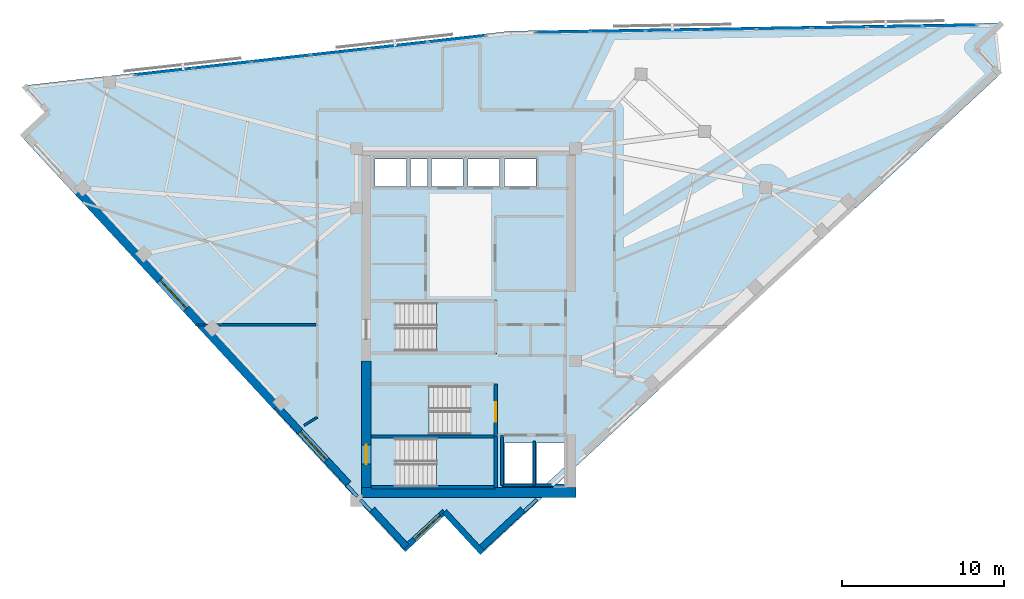
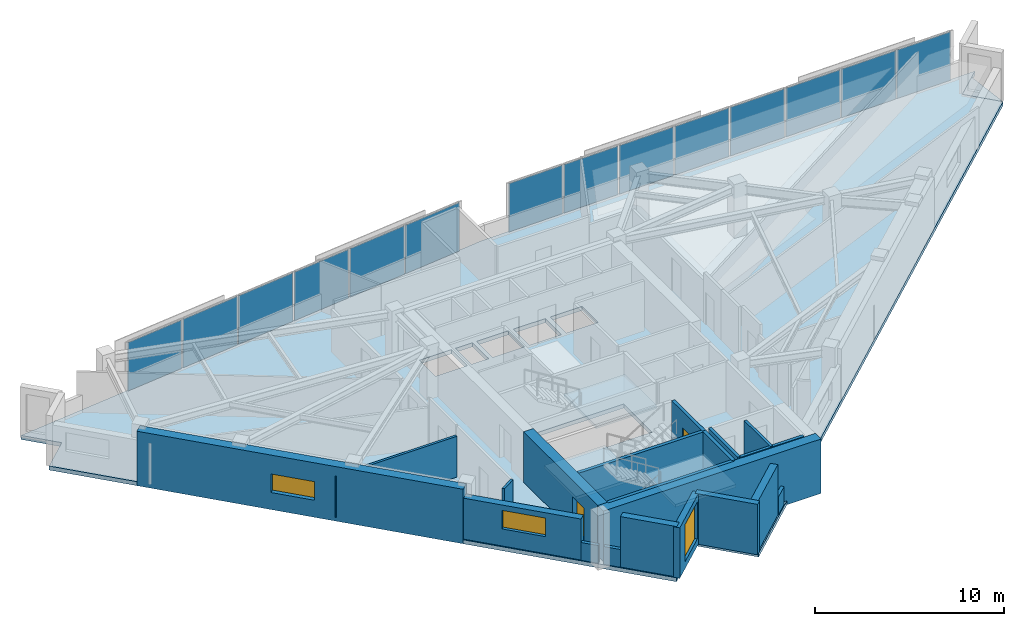
# One storey, part 7 of 13: 20 walls, 14 plates, 5 slabs, 3 windows, 2 doors, 5 openings, 5 elements without a shape of their own.
"""IFC4 building model written with IfcOpenShell, lengths in metres."""

from ifc_helpers import new_model, si_unit, direction, frame, frame_2d, origin, origin_2d, place, context, subcontext, project, spatial, polyline, rectangle, outline, extrude, material, layer, layer_set, type_object, element, fill, aggregate, save


model = new_model("IFC4")

# Units and contexts
model_context = context("Model", 3, precision=1e-05, world=origin(), true_north=direction((0.0, 1.0)))
body_context = subcontext(model_context, "Body", "Model", "MODEL_VIEW")
ifc_project = project(units=[si_unit("LENGTHUNIT", "METRE"), si_unit("AREAUNIT", "SQUARE_METRE"), si_unit("VOLUMEUNIT", "CUBIC_METRE"), si_unit("PLANEANGLEUNIT", "RADIAN"), si_unit("MASSUNIT", "GRAM", prefix="KILO")], contexts=[model_context])

# Site, building, storey
site_placement = place(None, origin())
site = spatial("IfcSite", under=ifc_project, at=site_placement, CompositionType="ELEMENT")
building_placement = place(site_placement, origin())
building = spatial("IfcBuilding", under=site, at=building_placement, Name="Narakoshi Arena Tower", CompositionType="ELEMENT")
storey_placement = place(building_placement, frame((0.0, 0.0, 271.300048828125)))
storey = spatial("IfcBuildingStorey", under=building, at=storey_placement, Name="L74", CompositionType="ELEMENT", Elevation=271.300048828125)

# Curtain wall, plates
ifc_material_1 = material(Name="Anodised bronze aluminium 6063-T6", Category="aluminium")
curtain_wall_type = type_object("IfcCurtainWallType", Name="CW-HYP-HIGH", PredefinedType="NOTDEFINED", material=ifc_material_1)
curtain_wall_1_placement = place(storey_placement, origin())
curtain_wall_1 = element("IfcCurtainWall", 1, at=curtain_wall_1_placement, inside=storey, type_object=curtain_wall_type, Name="L74 Folded Hypotenuse Curtain Wall 1-1", PredefinedType="NOTDEFINED")
ifc_material_2 = material(Name="Bronze-tinted low-E laminated glass", Category="glass")
ifc_layer_1 = layer(ifc_material_2, 0.0439453125)
ifc_layer_set_1 = layer_set([ifc_layer_1], Name="Bronze-tinted low-E laminated glass")
plate_type = type_object("IfcPlateType", Name="PLT-GLZ-44", PredefinedType="CURTAIN_PANEL", material=ifc_layer_set_1)
plate_1_placement = place(storey_placement, frame((108.725341796875, 64.08984375, 0.06494140625), z_axis=(0.0, 0.0, 1.0), x_axis=(-0.999864804777, -0.016442997569, 0.0)))
plate_1 = element("IfcPlate", 2, at=plate_1_placement, type_object=plate_type, Name="CW-03 panel 1.1", PredefinedType="CURTAIN_PANEL", context=body_context, shape_type="SweptSolid", body=[
    extrude(rectangle(XDim=3.307861328125, YDim=0.0439453125, at=origin_2d()), origin(), (0.0, 0.0, 1.0), 3.1298828125),
])
plate_2_placement = place(storey_placement, frame((105.31787109375, 64.033935546875, 0.06494140625), z_axis=(0.0, 0.0, 1.0), x_axis=(-0.999864804777, -0.016442997569, 0.0)))
plate_2 = element("IfcPlate", 3, at=plate_2_placement, type_object=plate_type, Name="CW-03 panel 2.1", PredefinedType="CURTAIN_PANEL", context=body_context, shape_type="SweptSolid", body=[
    extrude(rectangle(XDim=3.34765625, YDim=0.0439453125, at=origin_2d()), origin(), (0.0, 0.0, 1.0), 3.1298828125),
])
plate_3_placement = place(storey_placement, frame((101.890625, 63.9775390625, 0.06494140625), z_axis=(0.0, 0.0, 1.0), x_axis=(-0.999864804777, -0.016442997569, 0.0)))
plate_3 = element("IfcPlate", 4, at=plate_3_placement, type_object=plate_type, Name="CW-03 panel 3.1", PredefinedType="CURTAIN_PANEL", context=body_context, shape_type="SweptSolid", body=[
    extrude(rectangle(XDim=3.34765625, YDim=0.0439453125, at=origin_2d()), origin(), (0.0, 0.0, 1.0), 3.1298828125),
])
plate_4_placement = place(storey_placement, frame((98.46337890625, 63.921142578125, 0.06494140625), z_axis=(0.0, 0.0, 1.0), x_axis=(-0.999864804777, -0.016442997569, 0.0)))
plate_4 = element("IfcPlate", 5, at=plate_4_placement, type_object=plate_type, Name="CW-03 panel 4.1", PredefinedType="CURTAIN_PANEL", context=body_context, shape_type="SweptSolid", body=[
    extrude(rectangle(XDim=3.34765625, YDim=0.0439453125, at=origin_2d()), origin(), (0.0, 0.0, 1.0), 3.1298828125),
])
plate_5_placement = place(storey_placement, frame((95.0361328125, 63.86474609375, 0.06494140625), z_axis=(0.0, 0.0, 1.0), x_axis=(-0.999864804777, -0.016442997569, 0.0)))
plate_5 = element("IfcPlate", 6, at=plate_5_placement, type_object=plate_type, Name="CW-03 panel 5.1", PredefinedType="CURTAIN_PANEL", context=body_context, shape_type="SweptSolid", body=[
    extrude(rectangle(XDim=3.34765625, YDim=0.0439453125, at=origin_2d()), origin(), (0.0, 0.0, 1.0), 3.1298828125),
])
plate_6_placement = place(storey_placement, frame((91.60888671875, 63.808349609375, 0.06494140625), z_axis=(0.0, 0.0, 1.0), x_axis=(-0.999864804777, -0.016442997569, 0.0)))
plate_6 = element("IfcPlate", 7, at=plate_6_placement, type_object=plate_type, Name="CW-03 panel 6.1", PredefinedType="CURTAIN_PANEL", context=body_context, shape_type="SweptSolid", body=[
    extrude(rectangle(XDim=3.34765625, YDim=0.0439453125, at=origin_2d()), origin(), (0.0, 0.0, 1.0), 3.1298828125),
])
plate_7_placement = place(storey_placement, frame((88.181640625, 63.751953125, 0.06494140625), z_axis=(0.0, 0.0, 1.0), x_axis=(-0.999864804777, -0.016442997569, 0.0)))
plate_7 = element("IfcPlate", 8, at=plate_7_placement, type_object=plate_type, Name="CW-03 panel 7.1", PredefinedType="CURTAIN_PANEL", context=body_context, shape_type="SweptSolid", body=[
    extrude(rectangle(XDim=3.34765625, YDim=0.0439453125, at=origin_2d()), origin(), (0.0, 0.0, 1.0), 3.1298828125),
])
plate_8_placement = place(storey_placement, frame((84.774169921875, 63.696044921875, 0.06494140625), z_axis=(0.0, 0.0, 1.0), x_axis=(-0.999864804777, -0.016442997569, 0.0)))
plate_8 = element("IfcPlate", 9, at=plate_8_placement, type_object=plate_type, Name="CW-03 panel 8.1", PredefinedType="CURTAIN_PANEL", context=body_context, shape_type="SweptSolid", body=[
    extrude(rectangle(XDim=3.307861328125, YDim=0.0439453125, at=origin_2d()), origin(), (0.0, 0.0, 1.0), 3.1298828125),
])
aggregate(curtain_wall_1, [plate_1, plate_2, plate_3, plate_4, plate_5, plate_6, plate_7, plate_8])

curtain_wall_2_placement = place(storey_placement, origin())
curtain_wall_2 = element("IfcCurtainWall", 10, at=curtain_wall_2_placement, inside=storey, type_object=curtain_wall_type, Name="L74 Folded Hypotenuse Curtain Wall 2-1", PredefinedType="NOTDEFINED")
plate_9_placement = place(storey_placement, frame((78.222900390625, 63.2705078125, 0.06494140625), z_axis=(0.0, 0.0, 1.0), x_axis=(-0.9937760415, -0.111396496086, 0.0)))
plate_9 = element("IfcPlate", 11, at=plate_9_placement, type_object=plate_type, Name="CW-03 panel 1.1", PredefinedType="CURTAIN_PANEL", context=body_context, shape_type="SweptSolid", body=[
    extrude(rectangle(XDim=3.540283203125, YDim=0.0439453125, at=origin_2d()), origin(), (0.0, 0.0, 1.0), 3.1298828125),
])
plate_10_placement = place(storey_placement, frame((74.605224609375, 62.864990234375, 0.06494140625), z_axis=(0.0, 0.0, 1.0), x_axis=(-0.9937760415, -0.111396496086, 0.0)))
plate_10 = element("IfcPlate", 12, at=plate_10_placement, type_object=plate_type, Name="CW-03 panel 2.1", PredefinedType="CURTAIN_PANEL", context=body_context, shape_type="SweptSolid", body=[
    extrude(rectangle(XDim=3.580322265625, YDim=0.0439453125, at=origin_2d()), origin(), (0.0, 0.0, 1.0), 3.1298828125),
])
plate_11_placement = place(storey_placement, frame((70.967529296875, 62.45703125, 0.06494140625), z_axis=(0.0, 0.0, 1.0), x_axis=(-0.9937760415, -0.111396496086, 0.0)))
plate_11 = element("IfcPlate", 13, at=plate_11_placement, type_object=plate_type, Name="CW-03 panel 3.1", PredefinedType="CURTAIN_PANEL", context=body_context, shape_type="SweptSolid", body=[
    extrude(rectangle(XDim=3.580322265625, YDim=0.0439453125, at=origin_2d()), origin(), (0.0, 0.0, 1.0), 3.1298828125),
])
plate_12_placement = place(storey_placement, frame((67.330078125, 62.04931640625, 0.06494140625), z_axis=(0.0, 0.0, 1.0), x_axis=(-0.9937760415, -0.111396496086, 0.0)))
plate_12 = element("IfcPlate", 14, at=plate_12_placement, type_object=plate_type, Name="CW-03 panel 4.1", PredefinedType="CURTAIN_PANEL", context=body_context, shape_type="SweptSolid", body=[
    extrude(rectangle(XDim=3.580322265625, YDim=0.0439453125, at=origin_2d()), origin(), (0.0, 0.0, 1.0), 3.1298828125),
])
plate_13_placement = place(storey_placement, frame((63.6923828125, 61.6416015625, 0.06494140625), z_axis=(0.0, 0.0, 1.0), x_axis=(-0.9937760415, -0.111396496086, 0.0)))
plate_13 = element("IfcPlate", 15, at=plate_13_placement, type_object=plate_type, Name="CW-03 panel 5.1", PredefinedType="CURTAIN_PANEL", context=body_context, shape_type="SweptSolid", body=[
    extrude(rectangle(XDim=3.580322265625, YDim=0.0439453125, at=origin_2d()), origin(), (0.0, 0.0, 1.0), 3.1298828125),
])
plate_14_placement = place(storey_placement, frame((60.07470703125, 61.236083984375, 0.06494140625), z_axis=(0.0, 0.0, 1.0), x_axis=(-0.9937760415, -0.111396496086, 0.0)))
plate_14 = element("IfcPlate", 16, at=plate_14_placement, type_object=plate_type, Name="CW-03 panel 6.1", PredefinedType="CURTAIN_PANEL", context=body_context, shape_type="SweptSolid", body=[
    extrude(rectangle(XDim=3.540283203125, YDim=0.0439453125, at=origin_2d()), origin(), (0.0, 0.0, 1.0), 3.1298828125),
])
aggregate(curtain_wall_2, [plate_9, plate_10, plate_11, plate_12, plate_13, plate_14])

# Stair, slab
ifc_material_3 = material(Name="Concrete C45/55", Category="concrete")
stair_type = type_object("IfcStairType", Name="STR-CORE-352", PredefinedType="TWO_STRAIGHT_RUN_STAIR", material=ifc_material_3)
stair_1_placement = place(storey_placement, origin())
stair_1 = element("IfcStair", 17, at=stair_1_placement, inside=storey, type_object=stair_type, Name="L74 Core Escape Stair ST1", PredefinedType="TWO_STRAIGHT_RUN_STAIR")
ifc_layer_2 = layer(ifc_material_3, 0.18994140625)
ifc_layer_set_2 = layer_set([ifc_layer_2], Name="Concrete C45/55")
slab_type_1 = type_object("IfcSlabType", Name="SLB-LND-190", PredefinedType="LANDING", material=ifc_layer_set_2)
slab_1_placement = place(storey_placement, frame((0.0, 0.0, 1.570068359375)))
slab_1 = element("IfcSlab", 18, at=slab_1_placement, type_object=slab_type_1, Name="ST1 landing 1", PredefinedType="LANDING", context=body_context, shape_type="SweptSolid", body=[
    extrude(outline(polyline([(76.965087890625, 35.3701171875), (80.679931640625, 35.3701171875), (80.679931640625, 38.72998046875), (76.965087890625, 38.72998046875), (76.965087890625, 35.3701171875)])), origin(), (0.0, 0.0, 1.0), 0.18994140625),
])
aggregate(stair_1, [slab_1])

stair_2_placement = place(storey_placement, origin())
stair_2 = element("IfcStair", 19, at=stair_2_placement, inside=storey, type_object=stair_type, Name="L74 Core Escape Stair ST2", PredefinedType="TWO_STRAIGHT_RUN_STAIR")
slab_2_placement = place(storey_placement, frame((0.0, 0.0, 1.570068359375)))
slab_2 = element("IfcSlab", 20, at=slab_2_placement, type_object=slab_type_1, Name="ST2 landing 1", PredefinedType="LANDING", context=body_context, shape_type="SweptSolid", body=[
    extrude(outline(polyline([(72.77001953125, 38.6201171875), (76.485107421875, 38.6201171875), (76.485107421875, 41.97998046875), (72.77001953125, 41.97998046875), (72.77001953125, 38.6201171875)])), origin(), (0.0, 0.0, 1.0), 0.18994140625),
])
aggregate(stair_2, [slab_2])

stair_3_placement = place(storey_placement, origin())
stair_3 = element("IfcStair", 21, at=stair_3_placement, inside=storey, type_object=stair_type, Name="L74 Core Escape Stair ST3", PredefinedType="TWO_STRAIGHT_RUN_STAIR")
slab_3_placement = place(storey_placement, frame((0.0, 0.0, 1.570068359375)))
slab_3 = element("IfcSlab", 22, at=slab_3_placement, type_object=slab_type_1, Name="ST3 landing 1", PredefinedType="LANDING", context=body_context, shape_type="SweptSolid", body=[
    extrude(outline(polyline([(76.965087890625, 43.77001953125), (80.679931640625, 43.77001953125), (80.679931640625, 47.1298828125), (76.965087890625, 47.1298828125), (76.965087890625, 43.77001953125)])), origin(), (0.0, 0.0, 1.0), 0.18994140625),
])
aggregate(stair_3, [slab_3])

# Slabs
ifc_material_4 = material(Name="Concrete C50/60", Category="concrete")
ifc_layer_3 = layer(ifc_material_4, 0.260009765625)
ifc_layer_set_3 = layer_set([ifc_layer_3], Name="Concrete C50/60")
slab_type_2 = type_object("IfcSlabType", Name="SLB-SKY-260", PredefinedType="FLOOR", material=ifc_layer_set_3)
slab_4_placement = place(storey_placement, frame((0.0, 0.0, -0.260009765625)))
element("IfcSlab", 23, at=slab_4_placement, inside=storey, type_object=slab_type_2, Name="L74 Structural Floor Slab", PredefinedType="FLOOR", context=body_context, shape_type="SweptSolid", body=[
    extrude(outline(polyline([(79.8056640625, 31.47216796875), (111.83154296875, 61.076416015625), (110.30078125, 62.732421875), (111.956787109375, 64.26318359375), (81.538818359375, 63.7626953125), (51.42333984375, 60.38720703125), (52.9541015625, 58.731201171875), (51.298095703125, 57.200439453125), (74.9033203125, 31.664794921875), (77.45068359375, 34.01953125), (79.8056640625, 31.47216796875)]), holes=[polyline([(80.5, 35.550048828125), (74.47998046875, 35.550048828125), (74.47998046875, 38.550048828125), (80.5, 38.550048828125), (80.5, 35.550048828125)]), polyline([(82.89990234375, 35.75), (81.14990234375, 35.75), (81.14990234375, 38.25), (82.89990234375, 38.25), (82.89990234375, 35.75)]), polyline([(84.89990234375, 36.794189453125), (83.7705078125, 35.75), (83.14990234375, 35.75), (83.14990234375, 38.25), (84.89990234375, 38.25), (84.89990234375, 36.794189453125)]), polyline([(72.949951171875, 38.800048828125), (72.949951171875, 41.800048828125), (78.969970703125, 41.800048828125), (78.969970703125, 38.800048828125), (72.949951171875, 38.800048828125)]), polyline([(74.47998046875, 43.949951171875), (74.47998046875, 46.949951171875), (80.5, 46.949951171875), (80.5, 43.949951171875), (74.47998046875, 43.949951171875)]), polyline([(75.10009765625, 54.14990234375), (73.14990234375, 54.14990234375), (73.14990234375, 55.85009765625), (75.10009765625, 55.85009765625), (75.10009765625, 54.14990234375)]), polyline([(76.39990234375, 54.14990234375), (75.35009765625, 54.14990234375), (75.35009765625, 55.85009765625), (76.39990234375, 55.85009765625), (76.39990234375, 54.14990234375)]), polyline([(78.60009765625, 54.14990234375), (76.64990234375, 54.14990234375), (76.64990234375, 55.85009765625), (78.60009765625, 55.85009765625), (78.60009765625, 54.14990234375)]), polyline([(78.89990234375, 54.14990234375), (78.89990234375, 55.85009765625), (80.85009765625, 55.85009765625), (80.85009765625, 54.14990234375), (78.89990234375, 54.14990234375)]), polyline([(81.14990234375, 54.14990234375), (81.14990234375, 55.85009765625), (83.10009765625, 55.85009765625), (83.10009765625, 54.14990234375), (81.14990234375, 54.14990234375)])]), origin(), (0.0, 0.0, 1.0), 0.260009765625),
])
ifc_layer_4 = layer(ifc_material_3, 0.239990234375)
ifc_layer_set_4 = layer_set([ifc_layer_4], Name="Concrete C45/55")
slab_type_3 = type_object("IfcSlabType", Name="SLB-TERR-240", PredefinedType="ROOF", material=ifc_layer_set_4)
slab_5_placement = place(storey_placement, frame((0.0, 0.0, -0.239990234375)))
element("IfcSlab", 24, at=slab_5_placement, inside=storey, type_object=slab_type_3, Name="L74 Corner Notch Loggia Balcony Slab", PredefinedType="ROOF", context=body_context, shape_type="SweptSolid", body=[
    extrude(outline(polyline([(111.52587890625, 63.863037109375), (110.303955078125, 62.73193359375), (111.8310546875, 61.080078125), (111.52587890625, 63.863037109375)])), origin(), (0.0, 0.0, 1.0), 0.239990234375),
])

# Wall, opening, door
ifc_layer_5 = layer(ifc_material_4, 0.60009765625)
ifc_layer_set_5 = layer_set([ifc_layer_5], Name="Concrete C50/60")
wall_type_1 = type_object("IfcWallType", Name="WL-CORE-600", PredefinedType="SHEAR", material=ifc_layer_set_5)
wall_1_placement = place(storey_placement, frame((72.60009765625, 35.5, -0.260009765625), z_axis=(0.0, 0.0, 1.0), x_axis=(0.0, 1.0, 0.0)))
wall_1 = element("IfcWall", 25, at=wall_1_placement, inside=storey, type_object=wall_type_1, Name="L74 Central Core Shear Wall CW-APX-W", PredefinedType="SHEAR", context=body_context, shape_type="SweptSolid", body=[
    extrude(rectangle(XDim=7.85009765625, YDim=0.60009765625, at=frame_2d((3.925048828125, 0.0))), origin(), (0.0, 0.0, 1.0), 3.52001953125),
])
opening_1_placement = place(wall_1_placement, frame((1.449951171875, 0.0, 0.260009765625)))
opening_1 = element("IfcOpeningElement", 26, at=opening_1_placement, cuts=wall_1, Name="Opening D-03", PredefinedType="OPENING", context=body_context, shape_type="SweptSolid", body=[
    extrude(rectangle(XDim=1.199951171875, YDim=2.199951171875, at=frame_2d((0.60009765625, 1.10009765625))), frame((0.0, 0.31005859375, 0.0), z_axis=(0.0, -1.0, 0.0), x_axis=(1.0, 0.0, 0.0)), (0.0, 0.0, 1.0), 0.6201171875),
])
ifc_material_5 = material(Name="Painted galvanized steel", Category="steel")
door_type = type_object("IfcDoorType", Name="DR-STR-1200", OperationType="NOTDEFINED", PredefinedType="USERDEFINED", material=ifc_material_5)
door_1_placement = place(opening_1_placement, frame((1.199951171875, 0.0, 0.0), z_axis=(0.0, 0.0, 1.0), x_axis=(-1.0, 0.0, 0.0)))
door_1 = element("IfcDoor", 27, at=door_1_placement, inside=storey, type_object=door_type, Name="DR-L74-001", ObjectType="EXITDOOR", OperationType="SINGLE_SWING_LEFT", OverallHeight=2.199951171875, OverallWidth=1.199951171875, PredefinedType="USERDEFINED", context=body_context, shape_type="SweptSolid", body=[
    extrude(rectangle(XDim=1.199951171875, YDim=2.199951171875, at=frame_2d((0.60009765625, 1.10009765625))), frame((0.0, 0.02490234375, 0.0), z_axis=(0.0, -1.0, 0.0), x_axis=(1.0, 0.0, 0.0)), (0.0, 0.0, 1.0), 0.050048828125),
])
fill(opening_1, door_1)

# Wall
wall_2_placement = place(storey_placement, frame((72.300048828125, 35.199951171875, -0.260009765625), z_axis=(0.0, 0.0, 1.0), x_axis=(1.0, 0.0, 0.0)))
element("IfcWall", 28, at=wall_2_placement, inside=storey, type_object=wall_type_1, Name="L74 Central Core Shear Wall CW-APX-S", PredefinedType="SHEAR", context=body_context, shape_type="SweptSolid", body=[
    extrude(rectangle(XDim=13.300048828125, YDim=0.60009765625, at=frame_2d((6.64990234375, 0.0))), origin(), (0.0, 0.0, 1.0), 3.52001953125),
])

# Wall, opening, window
ifc_layer_6 = layer(ifc_material_4, 0.550048828125)
ifc_layer_set_6 = layer_set([ifc_layer_6], Name="Concrete C50/60")
wall_type_2 = type_object("IfcWallType", Name="WL-LEG-550", PredefinedType="SHEAR", material=ifc_layer_set_6)
wall_3_placement = place(storey_placement, frame((54.804931640625, 53.81201171875, -0.260009765625), z_axis=(0.0, 0.0, 1.0), x_axis=(0.678803115619, -0.734320318543, 0.0)))
wall_3 = element("IfcWall", 29, at=wall_3_placement, inside=storey, type_object=wall_type_2, Name="L74 Architectural Concrete Structural Wall LEGB-2", PredefinedType="SHEAR", context=body_context, shape_type="SweptSolid", body=[
    extrude(rectangle(XDim=18.082763671875, YDim=0.550048828125, at=frame_2d((9.04150390625, 0.0))), origin(), (0.0, 0.0, 1.0), 3.52001953125),
])
opening_2_placement = place(wall_3_placement, frame((7.434326171875, 0.0, 1.10009765625)))
opening_2 = element("IfcOpeningElement", 30, at=opening_2_placement, cuts=wall_3, Name="Opening WN-04", PredefinedType="OPENING", context=body_context, shape_type="SweptSolid", body=[
    extrude(rectangle(XDim=2.39990234375, YDim=1.199951171875, at=frame_2d((1.199951171875, 0.60009765625))), frame((0.0, 0.284912109375, 0.0), z_axis=(0.0, -1.0, 0.0), x_axis=(1.0, 0.0, 0.0)), (0.0, 0.0, 1.0), 0.570068359375),
])
window_type_1 = type_object("IfcWindowType", Name="WIN-SLT-24x12", PartitioningType="SINGLE_PANEL", PredefinedType="WINDOW", material=ifc_material_2)
window_1_placement = place(opening_2_placement, origin())
window_1 = element("IfcWindow", 31, at=window_1_placement, inside=storey, type_object=window_type_1, Name="L74 LEGB2 Horizontal Slot Window 1", OverallHeight=1.199951171875, OverallWidth=2.39990234375, PartitioningType="SINGLE_PANEL", PredefinedType="WINDOW", context=body_context, shape_type="SweptSolid", body=[
    extrude(rectangle(XDim=2.39990234375, YDim=1.199951171875, at=frame_2d((1.199951171875, 0.60009765625))), frame((0.0, 0.030029296875, 0.0), z_axis=(0.0, -1.0, 0.0), x_axis=(1.0, 0.0, 0.0)), (0.0, 0.0, 1.0), 0.06005859375),
])
fill(opening_2, window_1)

# Walls
ifc_material_6 = material(Name="Precast concrete C45/55", Category="concrete")
ifc_layer_7 = layer(ifc_material_6, 0.25)
ifc_layer_set_7 = layer_set([ifc_layer_7], Name="Precast concrete C45/55")
wall_type_3 = type_object("IfcWallType", Name="WL-PARA-250", PredefinedType="PARAPET", material=ifc_layer_set_7)
wall_4_placement = place(storey_placement, frame((72.881103515625, 34.058349609375, 0.0), z_axis=(0.0, 0.0, 1.0), x_axis=(-0.678651758246, 0.734460203843, 0.0)))
element("IfcWall", 32, at=wall_4_placement, inside=storey, type_object=wall_type_3, Name="L74 Crown Sill Upstand Parapet 01", PredefinedType="PARAPET", context=body_context, shape_type="SweptSolid", body=[
    extrude(rectangle(XDim=0.927490234375, YDim=0.199951171875, at=frame_2d((0.4638671875, 0.0))), origin(), (0.0, 0.0, 1.0), 1.14990234375),
])
wall_5_placement = place(storey_placement, frame((72.05908203125, 34.94775390625, 0.0), z_axis=(0.0, 0.0, 1.0), x_axis=(-0.678740051818, 0.734378609478, 0.0)))
element("IfcWall", 33, at=wall_5_placement, inside=storey, type_object=wall_type_3, Name="L74 Crown Sill Upstand Parapet 02", PredefinedType="PARAPET", context=body_context, shape_type="SweptSolid", body=[
    extrude(rectangle(XDim=0.9697265625, YDim=0.199951171875, at=frame_2d((0.48486328125, 0.0))), origin(), (0.0, 0.0, 1.0), 1.14990234375),
])
wall_6_placement = place(storey_placement, frame((83.15625, 34.760009765625, 0.0), z_axis=(0.0, 0.0, 1.0), x_axis=(-0.734364355784, -0.678755473609, 0.0)))
element("IfcWall", 34, at=wall_6_placement, inside=storey, type_object=wall_type_3, Name="L74 Crown Sill Upstand Parapet 05", PredefinedType="PARAPET", context=body_context, shape_type="SweptSolid", body=[
    extrude(rectangle(XDim=1.044921875, YDim=0.199951171875, at=frame_2d((0.5224609375, 0.0))), origin(), (0.0, 0.0, 1.0), 1.14990234375),
])
ifc_layer_8 = layer(ifc_material_6, 0.419921875)
ifc_layer_set_8 = layer_set([ifc_layer_8], Name="Precast concrete C45/55")
wall_type_4 = type_object("IfcWallType", Name="WL-POD-420", PredefinedType="SOLIDWALL", material=ifc_layer_set_8)
wall_7_placement = place(storey_placement, frame((79.618896484375, 31.674072265625, 0.0), z_axis=(0.0, 0.0, 1.0), x_axis=(0.734338793707, 0.678783128884, 0.0)))
element("IfcWall", 35, at=wall_7_placement, inside=storey, type_object=wall_type_4, Name="L74 Architectural Concrete Facade Wall LEGA-1", PredefinedType="SOLIDWALL", context=body_context, shape_type="SweptSolid", body=[
    extrude(rectangle(XDim=3.6474609375, YDim=0.419921875, at=frame_2d((1.82373046875, 0.0))), origin(), (0.0, 0.0, 1.0), 3.260009765625),
])

# Wall, opening, window
wall_8_placement = place(storey_placement, frame((67.07958984375, 40.533447265625, 0.0), z_axis=(0.0, 0.0, 1.0), x_axis=(0.678800006437, -0.734323192648, 0.0)))
wall_8 = element("IfcWall", 36, at=wall_8_placement, inside=storey, type_object=wall_type_4, Name="L74 Architectural Concrete Facade Wall LEGB-3", PredefinedType="SOLIDWALL", context=body_context, shape_type="SweptSolid", body=[
    extrude(rectangle(XDim=6.51220703125, YDim=0.419921875, at=frame_2d((3.256103515625, 0.0))), origin(), (0.0, 0.0, 1.0), 2.64501953125),
])
opening_3_placement = place(wall_8_placement, frame((2.128662109375, 0.0, 1.10009765625)))
opening_3 = element("IfcOpeningElement", 37, at=opening_3_placement, cuts=wall_8, Name="Opening WN-04", PredefinedType="OPENING", context=body_context, shape_type="SweptSolid", body=[
    extrude(rectangle(XDim=2.39990234375, YDim=1.199951171875, at=frame_2d((1.199951171875, 0.60009765625))), frame((0.0, 0.219970703125, 0.0), z_axis=(0.0, -1.0, 0.0), x_axis=(1.0, 0.0, 0.0)), (0.0, 0.0, 1.0), 0.43994140625),
])
window_2_placement = place(opening_3_placement, origin())
window_2 = element("IfcWindow", 38, at=window_2_placement, inside=storey, type_object=window_type_1, Name="L74 LEGB3 Horizontal Slot Window 1", OverallHeight=1.199951171875, OverallWidth=2.39990234375, PartitioningType="SINGLE_PANEL", PredefinedType="WINDOW", context=body_context, shape_type="SweptSolid", body=[
    extrude(rectangle(XDim=2.39990234375, YDim=1.199951171875, at=frame_2d((1.199951171875, 0.60009765625))), frame((0.0, 0.030029296875, 0.0), z_axis=(0.0, -1.0, 0.0), x_axis=(1.0, 0.0, 0.0)), (0.0, 0.0, 1.0), 0.06005859375),
])
fill(opening_3, window_2)

# Wall
wall_9_placement = place(storey_placement, frame((72.980224609375, 34.14990234375, 0.0), z_axis=(0.0, 0.0, 1.0), x_axis=(0.67879500555, -0.73432781538, 0.0)))
element("IfcWall", 39, at=wall_9_placement, inside=storey, type_object=wall_type_4, Name="L74 Architectural Concrete Facade Wall LEGB-4", PredefinedType="SOLIDWALL", context=body_context, shape_type="SweptSolid", body=[
    extrude(rectangle(XDim=3.130126953125, YDim=0.419921875, at=frame_2d((1.56494140625, 0.0))), origin(), (0.0, 0.0, 1.0), 3.260009765625),
])

# Wall, opening, window
wall_10_placement = place(storey_placement, frame((74.9033203125, 31.664794921875, 0.0), z_axis=(0.0, 0.0, 1.0), x_axis=(0.734325680362, 0.678797315228, 0.0)))
wall_10 = element("IfcWall", 40, at=wall_10_placement, inside=storey, type_object=wall_type_4, Name="L74 Re-Entrant Corner Notch Wall NTA-1", PredefinedType="SOLIDWALL", context=body_context, shape_type="SweptSolid", body=[
    extrude(rectangle(XDim=3.468994140625, YDim=0.360107421875, at=frame_2d((1.734375, 0.0))), origin(), (0.0, 0.0, 1.0), 3.260009765625),
])
opening_4_placement = place(wall_10_placement, frame((0.92919921875, 0.0, 0.449951171875)))
opening_4 = element("IfcOpeningElement", 41, at=opening_4_placement, cuts=wall_10, Name="Opening WN-07", PredefinedType="OPENING", context=body_context, shape_type="SweptSolid", body=[
    extrude(rectangle(XDim=2.199951171875, YDim=2.39990234375, at=frame_2d((1.10009765625, 1.199951171875))), frame((0.0, 0.18994140625, 0.0), z_axis=(0.0, -1.0, 0.0), x_axis=(1.0, 0.0, 0.0)), (0.0, 0.0, 1.0), 0.380126953125),
])
window_type_2 = type_object("IfcWindowType", Name="WIN-NTC-22x24", PartitioningType="SINGLE_PANEL", PredefinedType="WINDOW", material=ifc_material_2)
window_3_placement = place(opening_4_placement, origin())
window_3 = element("IfcWindow", 42, at=window_3_placement, inside=storey, type_object=window_type_2, Name="L74 Corner Notch Window NTA", OverallHeight=2.39990234375, OverallWidth=2.199951171875, PartitioningType="SINGLE_PANEL", PredefinedType="WINDOW", context=body_context, shape_type="SweptSolid", body=[
    extrude(rectangle(XDim=2.199951171875, YDim=2.39990234375, at=frame_2d((1.10009765625, 1.199951171875))), frame((0.0, 0.030029296875, 0.0), z_axis=(0.0, -1.0, 0.0), x_axis=(1.0, 0.0, 0.0)), (0.0, 0.0, 1.0), 0.06005859375),
])
fill(opening_4, window_3)

# Walls
wall_11_placement = place(storey_placement, frame((77.45068359375, 34.01953125, 0.0), z_axis=(0.0, 0.0, 1.0), x_axis=(0.678835262818, -0.734290600481, 0.0)))
element("IfcWall", 43, at=wall_11_placement, inside=storey, type_object=wall_type_4, Name="L74 Re-Entrant Corner Notch Wall NTA-2", PredefinedType="SOLIDWALL", context=body_context, shape_type="SweptSolid", body=[
    extrude(rectangle(XDim=3.46923828125, YDim=0.360107421875, at=frame_2d((1.734619140625, 0.0))), origin(), (0.0, 0.0, 1.0), 3.260009765625),
])
ifc_material_7 = material(Name="Concrete C40/50", Category="concrete")
ifc_layer_9 = layer(ifc_material_7, 0.280029296875)
ifc_layer_set_9 = layer_set([ifc_layer_9], Name="Concrete C40/50")
wall_type_5 = type_object("IfcWallType", Name="WL-RISER-280", PredefinedType="PLUMBINGWALL", material=ifc_layer_set_9)
wall_12_placement = place(storey_placement, frame((83.0, 35.64990234375, 0.0), z_axis=(0.0, 0.0, 1.0), x_axis=(0.0, 1.0, 0.0)))
element("IfcWall", 44, at=wall_12_placement, inside=storey, type_object=wall_type_5, Name="L74 Core Wall FF-DIV", PredefinedType="PLUMBINGWALL", context=body_context, shape_type="SweptSolid", body=[
    extrude(rectangle(XDim=2.75, YDim=0.159912109375, at=frame_2d((1.375, 0.0))), origin(), (0.0, 0.0, 1.0), 3.260009765625),
])
ifc_layer_10 = layer(ifc_material_4, 0.35009765625)
ifc_layer_set_10 = layer_set([ifc_layer_10], Name="Concrete C50/60")
wall_type_6 = type_object("IfcWallType", Name="WL-SHAFT-350", PredefinedType="SOLIDWALL", material=ifc_layer_set_10)
for number, where, z_axis, x_axis, name in (
    (45, (72.919921875, 35.52001953125, -0.260009765625), (0.0, 0.0, 1.0), (1.0, 0.0, 0.0), "L74 Core Wall ST1-S"),
    (46, (72.919921875, 38.675048828125, -0.260009765625), (0.0, 0.0, 1.0), (1.0, 0.0, 0.0), "L74 Core Wall ST12-DIV"),
):
    element("IfcWall", number, at=place(storey_placement, frame(where, z_axis=z_axis, x_axis=x_axis)), inside=storey, type_object=wall_type_6, Name=name, PredefinedType="SOLIDWALL", context=body_context, shape_type="SweptSolid", body=[
        extrude(rectangle(XDim=7.7001953125, YDim=0.199951171875, at=frame_2d((3.85009765625, 0.0))), origin(), (0.0, 0.0, 1.0), 3.52001953125),
    ])
wall_13_placement = place(storey_placement, frame((80.6201171875, 35.52001953125, -0.260009765625), z_axis=(0.0, 0.0, 1.0), x_axis=(0.0, 1.0, 0.0)))
element("IfcWall", 47, at=wall_13_placement, inside=storey, type_object=wall_type_6, Name="L74 Core Wall ST1-E", PredefinedType="SOLIDWALL", context=body_context, shape_type="SweptSolid", body=[
    extrude(rectangle(XDim=3.155029296875, YDim=0.199951171875, at=frame_2d((1.57763671875, 0.0))), origin(), (0.0, 0.0, 1.0), 3.52001953125),
])

# Wall, opening, door
wall_14_placement = place(storey_placement, frame((80.6201171875, 38.675048828125, -0.260009765625), z_axis=(0.0, 0.0, 1.0), x_axis=(0.0, 1.0, 0.0)))
wall_14 = element("IfcWall", 48, at=wall_14_placement, inside=storey, type_object=wall_type_6, Name="L74 Core Wall ST2-E", PredefinedType="SOLIDWALL", context=body_context, shape_type="SweptSolid", body=[
    extrude(rectangle(XDim=3.244873046875, YDim=0.199951171875, at=frame_2d((1.62255859375, 0.0))), origin(), (0.0, 0.0, 1.0), 3.52001953125),
])
opening_5_placement = place(wall_14_placement, frame((0.89990234375, 0.0, 0.260009765625)))
opening_5 = element("IfcOpeningElement", 49, at=opening_5_placement, cuts=wall_14, Name="Opening D-03", PredefinedType="OPENING", context=body_context, shape_type="SweptSolid", body=[
    extrude(rectangle(XDim=1.199951171875, YDim=2.199951171875, at=frame_2d((0.60009765625, 1.10009765625))), frame((0.0, 0.10986328125, 0.0), z_axis=(0.0, -1.0, 0.0), x_axis=(1.0, 0.0, 0.0)), (0.0, 0.0, 1.0), 0.219970703125),
])
door_2_placement = place(opening_5_placement, origin())
door_2 = element("IfcDoor", 50, at=door_2_placement, inside=storey, type_object=door_type, Name="DR-L74-002", ObjectType="EXITDOOR", OperationType="SINGLE_SWING_RIGHT", OverallHeight=2.199951171875, OverallWidth=1.199951171875, PredefinedType="USERDEFINED", context=body_context, shape_type="SweptSolid", body=[
    extrude(rectangle(XDim=1.199951171875, YDim=2.199951171875, at=frame_2d((0.60009765625, 1.10009765625))), frame((0.0, 0.02490234375, 0.0), z_axis=(0.0, -1.0, 0.0), x_axis=(1.0, 0.0, 0.0)), (0.0, 0.0, 1.0), 0.050048828125),
])
fill(opening_5, door_2)

# Walls
wall_15_placement = place(storey_placement, frame((81.02001953125, 35.64990234375, 0.0), z_axis=(0.0, 0.0, 1.0), x_axis=(0.0, 1.0, 0.0)))
element("IfcWall", 51, at=wall_15_placement, inside=storey, type_object=wall_type_6, Name="L74 Core Wall FF-W", PredefinedType="SOLIDWALL", context=body_context, shape_type="SweptSolid", body=[
    extrude(rectangle(XDim=3.10009765625, YDim=0.179931640625, at=frame_2d((1.550048828125, 0.0))), origin(), (0.0, 0.0, 1.0), 3.260009765625),
])
wall_16_placement = place(storey_placement, frame((81.02001953125, 35.64990234375, 0.0), z_axis=(0.0, 0.0, 1.0), x_axis=(1.0, 0.0, 0.0)))
element("IfcWall", 52, at=wall_16_placement, inside=storey, type_object=wall_type_6, Name="L74 Core Wall FF-S", PredefinedType="SOLIDWALL", context=body_context, shape_type="SweptSolid", body=[
    extrude(rectangle(XDim=3.929931640625, YDim=0.179931640625, at=frame_2d((1.96484375, 0.0))), origin(), (0.0, 0.0, 1.0), 3.260009765625),
])
ifc_material_8 = material(Name="Moisture-resistant cement-board partition")
ifc_layer_11 = layer(ifc_material_8, 0.14501953125)
ifc_layer_set_11 = layer_set([ifc_layer_11], Name="Moisture-resistant cement-board partition")
wall_type_7 = type_object("IfcWallType", Name="WL-WET-145", PredefinedType="PARTITIONING", material=ifc_layer_set_11)
wall_17_placement = place(storey_placement, frame((62.048828125, 45.570556640625, 0.0), z_axis=(0.0, 0.0, 1.0), x_axis=(0.999995830872, 0.002887600759, 0.0)))
element("IfcWall", 53, at=wall_17_placement, inside=storey, type_object=wall_type_7, Name="L74 Inter-Room Partition 01-09", PredefinedType="PARTITIONING", context=body_context, shape_type="SweptSolid", body=[
    extrude(rectangle(XDim=7.440185546875, YDim=0.14501953125, at=frame_2d((3.72021484375, 0.0))), origin(), (0.0, 0.0, 1.0), 2.64501953125),
])
wall_18_placement = place(storey_placement, frame((69.573486328125, 39.861083984375, 0.0), z_axis=(0.0, 0.0, 1.0), x_axis=(-0.848012563248, -0.529976124532, 0.0)))
element("IfcWall", 54, at=wall_18_placement, inside=storey, type_object=wall_type_7, Name="L74 Room Enclosure Partition 01-1", PredefinedType="PARTITIONING", context=body_context, shape_type="SweptSolid", body=[
    extrude(rectangle(XDim=0.9619140625, YDim=0.14501953125, at=frame_2d((0.48095703125, 0.0))), origin(), (0.0, 0.0, 1.0), 3.260009765625),
])

save(model, "model.ifc")
